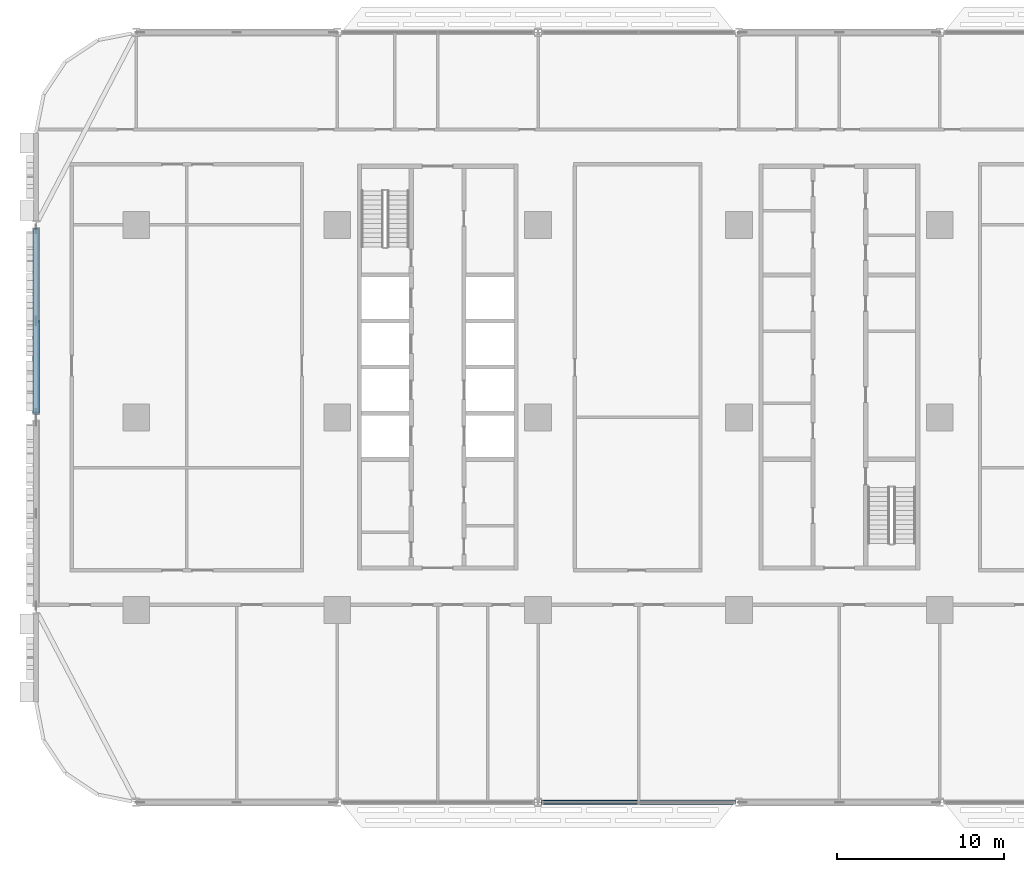
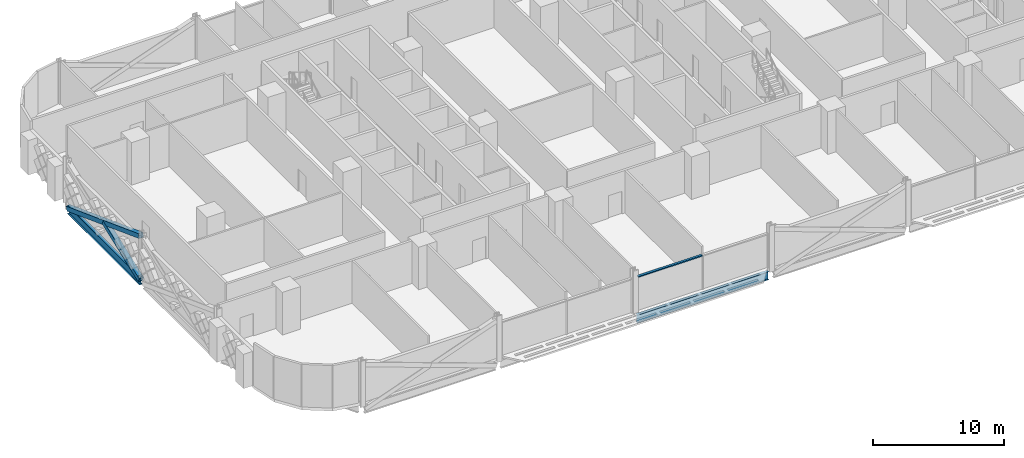
# One storey, part 3 of 29: 3 members, 2 beams, 1 element without a shape of its own.
"""IFC4 building model written with IfcOpenShell, lengths in metres."""

from ifc_helpers import new_model, si_unit, direction, frame, origin, origin_2d, place, context, subcontext, project, spatial, rectangle, hollow_rectangle, i_section, extrude, material, material_profile, profile_set, type_object, element, aggregate, save


model = new_model("IFC4")

# Units and contexts
model_context = context("Model", 3, precision=1e-05, world=origin(), true_north=direction((0.0, 1.0)))
body_context = subcontext(model_context, "Body", "Model", "MODEL_VIEW")
ifc_project = project(units=[si_unit("LENGTHUNIT", "METRE"), si_unit("AREAUNIT", "SQUARE_METRE"), si_unit("VOLUMEUNIT", "CUBIC_METRE"), si_unit("PLANEANGLEUNIT", "RADIAN"), si_unit("MASSUNIT", "GRAM", prefix="KILO")], contexts=[model_context])

# Site, building, storey
site_placement = place(None, origin())
site = spatial("IfcSite", under=ifc_project, at=site_placement, CompositionType="ELEMENT")
building_placement = place(site_placement, origin())
building = spatial("IfcBuilding", under=site, at=building_placement, Name="Mahtab Terrace Research Tower", CompositionType="ELEMENT")
storey_placement = place(building_placement, frame((0.0, 0.0, 20.10009765625)))
storey = spatial("IfcBuildingStorey", under=building, at=storey_placement, Name="L04", CompositionType="ELEMENT", Elevation=20.10009765625)

# Members
ifc_material_1 = material(Name="Steel ASTM A500 Gr C", Category="steel")
ifc_material_profile_1 = material_profile(ifc_material_1, hollow_rectangle(XDim=0.406494140625, YDim=0.406494140625, WallThickness=0.01904296875, at=origin_2d()), Name="HSS16X16X3/4")
ifc_profile_set_1 = profile_set([ifc_material_profile_1], Name="Steel ASTM A500 Gr C")
member_type_1 = type_object("IfcMemberType", Name="HSS 16x16x3/4 brace XB161634", PredefinedType="BRACE", material=ifc_profile_set_1)
member_1_placement = place(storey_placement, frame((-48.0, 11.251220703125, -0.62548828125), z_axis=(0.0, -0.936668691391, 0.350216736563), x_axis=(1.0, 0.0, 0.0)))
element("IfcMember", 1, at=member_1_placement, inside=storey, type_object=member_type_1, Name="Exoskeleton brace L04 09 a", PredefinedType="BRACE", context=body_context, shape_type="SweptSolid", body=[
    extrude(hollow_rectangle(XDim=0.406494140625, YDim=0.406494140625, WallThickness=0.01904296875, at=origin_2d()), origin(), (0.0, 0.0, 1.0), 11.746337890625),
])
member_2_placement = place(storey_placement, frame((-48.0, 0.248779296875, -0.62548828125), z_axis=(0.0, 0.936668691391, 0.350216736563), x_axis=(-1.0, 0.0, 0.0)))
element("IfcMember", 2, at=member_2_placement, inside=storey, type_object=member_type_1, Name="Exoskeleton brace L04 09 b1", PredefinedType="BRACE", context=body_context, shape_type="SweptSolid", body=[
    extrude(hollow_rectangle(XDim=0.406494140625, YDim=0.406494140625, WallThickness=0.01904296875, at=origin_2d()), origin(), (0.0, 0.0, 1.0), 5.873291015625),
])

# Curtain wall, member
ifc_material_2 = material(Name="Laboratory ribbon curtain wall")
curtain_wall_type = type_object("IfcCurtainWallType", Name="Laboratory ribbon curtain wall", PredefinedType="NOTDEFINED", material=ifc_material_2)
curtain_wall_placement = place(storey_placement, origin())
curtain_wall = element("IfcCurtainWall", 3, at=curtain_wall_placement, inside=storey, type_object=curtain_wall_type, Name="EN.L04.13.24", PredefinedType="NOTDEFINED")
ifc_material_3 = material(Name="Natural anodised aluminium", Category="aluminium")
ifc_material_profile_2 = material_profile(ifc_material_3, rectangle(XDim=0.199951171875, YDim=0.10009765625, at=origin_2d()), Name="TRANSOM 100x200")
ifc_profile_set_2 = profile_set([ifc_material_profile_2], Name="Natural anodised aluminium")
member_type_2 = type_object("IfcMemberType", Name="Laboratory ribbon curtain wall transom", PredefinedType="USERDEFINED", material=ifc_profile_set_2)
member_3_placement = place(storey_placement, frame((-17.68603515625, -23.0, 3.153076171875), z_axis=(1.0, 0.0, 0.0), x_axis=(0.0, 1.0, 0.0)))
member_3 = element("IfcMember", 4, at=member_3_placement, type_object=member_type_2, Name="CWL-1 transom 1", ObjectType="TRANSOM", PredefinedType="USERDEFINED", context=body_context, shape_type="SweptSolid", body=[
    extrude(rectangle(XDim=0.199951171875, YDim=0.10009765625, at=origin_2d()), origin(), (0.0, 0.0, 1.0), 5.653564453125),
])
aggregate(curtain_wall, [member_3])

# Beams
ifc_material_4 = material(Name="Steel ASTM A992 Gr 50", Category="steel")
ifc_material_profile_3 = material_profile(ifc_material_4, i_section(OverallWidth=0.2666015625, OverallDepth=0.7568359375, WebThickness=0.013916015625, FlangeThickness=0.019287109375, at=origin_2d()), Name="W30X108")
ifc_profile_set_3 = profile_set([ifc_material_profile_3], Name="Steel ASTM A992 Gr 50")
beam_type = type_object("IfcBeamType", Name="W30x108 beam BS30108", PredefinedType="BEAM", material=ifc_profile_set_3)
beam_1_placement = place(storey_placement, frame((-48.0, 11.251220703125, -0.718505859375), z_axis=(0.0, -1.0, 0.0), x_axis=(1.0, 0.0, 0.0)))
element("IfcBeam", 5, at=beam_1_placement, inside=storey, type_object=beam_type, Name="Spandrel beam L04 09", PredefinedType="BEAM", context=body_context, shape_type="SweptSolid", body=[
    extrude(i_section(OverallWidth=0.2666015625, OverallDepth=0.7568359375, WebThickness=0.013916015625, FlangeThickness=0.019287109375, at=origin_2d()), origin(), (0.0, 0.0, 1.0), 11.00244140625),
])
beam_2_placement = place(storey_placement, frame((-17.7841796875, -23.0, -0.718505859375), z_axis=(1.0, 0.0, 0.0), x_axis=(0.0, 1.0, 0.0)))
element("IfcBeam", 6, at=beam_2_placement, inside=storey, type_object=beam_type, Name="Spandrel beam L04 14", PredefinedType="BEAM", context=body_context, shape_type="SweptSolid", body=[
    extrude(i_section(OverallWidth=0.2666015625, OverallDepth=0.7568359375, WebThickness=0.013916015625, FlangeThickness=0.019287109375, at=origin_2d()), origin(), (0.0, 0.0, 1.0), 11.568359375),
])

save(model, "model.ifc")
